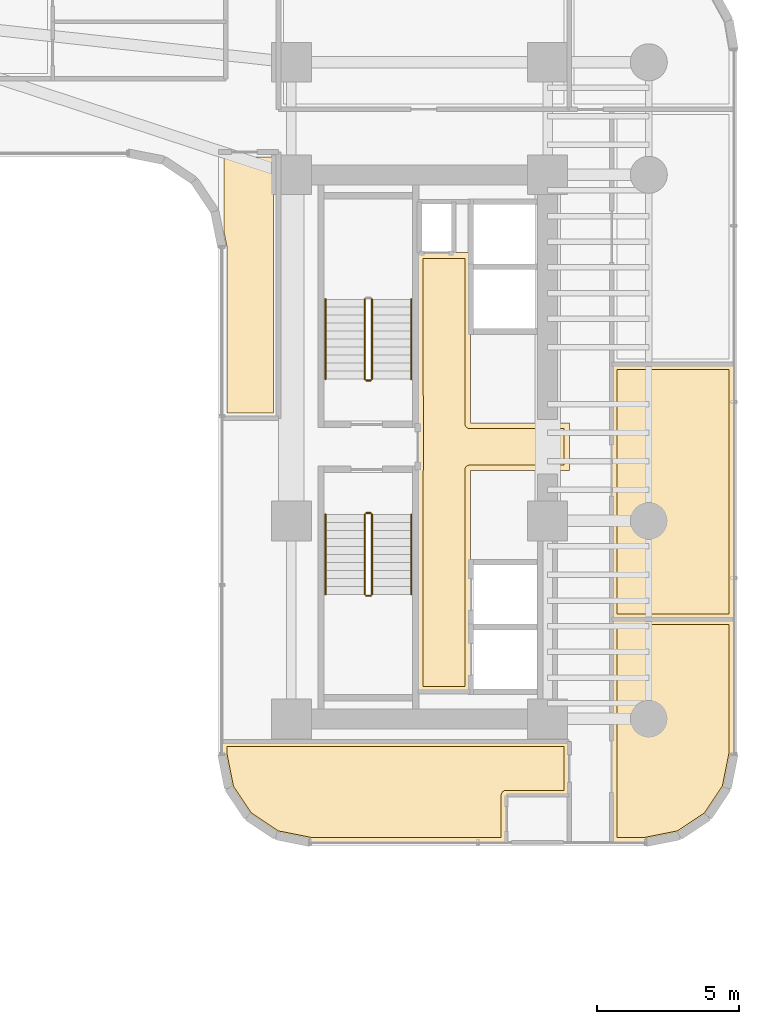
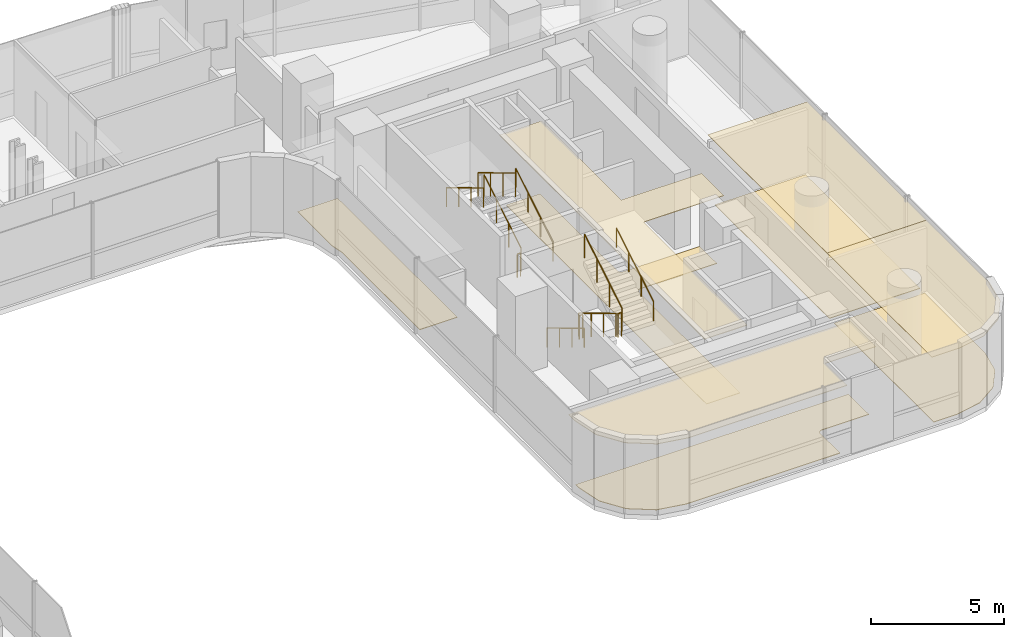
# One storey, part 38 of 41: 11 railings, 9 coverings.
"""IFC4 building model written with IfcOpenShell, lengths in metres."""

from ifc_helpers import new_model, si_unit, direction, frame, origin, origin_2d, place, context, subcontext, project, spatial, polyline, circle, outline, extrude, material, layer, layer_set, type_object, element, save


model = new_model("IFC4")

# Units and contexts
model_context = context("Model", 3, precision=1e-05, world=origin(), true_north=direction((0.0, 1.0)))
body_context = subcontext(model_context, "Body", "Model", "MODEL_VIEW")
ifc_project = project(units=[si_unit("LENGTHUNIT", "METRE"), si_unit("AREAUNIT", "SQUARE_METRE"), si_unit("VOLUMEUNIT", "CUBIC_METRE"), si_unit("PLANEANGLEUNIT", "RADIAN"), si_unit("MASSUNIT", "GRAM", prefix="KILO")], contexts=[model_context])

# Site, building, storey
site_placement = place(None, origin())
site = spatial("IfcSite", under=ifc_project, at=site_placement, CompositionType="ELEMENT")
building_placement = place(site_placement, origin())
building = spatial("IfcBuilding", under=site, at=building_placement, Name="Valdorenza Pilgrim Sanctuary Tower", CompositionType="ELEMENT")
storey_placement = place(building_placement, frame((0.0, 0.0, 59.300048828125)))
storey = spatial("IfcBuildingStorey", under=building, at=storey_placement, Name="L14", CompositionType="ELEMENT", Elevation=59.300048828125)

# Coverings
ifc_material_1 = material(Name="Micro-perforated acoustic mineral ceiling tile", Category="gypsum")
ifc_layer_1 = layer(ifc_material_1, 0.02490234375, Name="Micro-perforated acoustic mineral ceiling tile")
ifc_layer_set_1 = layer_set([ifc_layer_1], Name="Micro-perforated acoustic mineral ceiling tile")
covering_type_1 = type_object("IfcCoveringType", Name="COV-CLG-ACU", PredefinedType="CEILING", material=ifc_layer_set_1)
covering_1_placement = place(storey_placement, frame((0.0, 0.0, 3.159912109375)))
element("IfcCovering", 1, at=covering_1_placement, inside=storey, type_object=covering_type_1, Name="L14 Core B Passenger Lift Lobby Acoustic Ceiling", PredefinedType="CEILING", context=body_context, shape_type="SweptSolid", body=[
    extrude(outline(polyline([(20.287109375, -0.814697265625), (20.287109375, 0.814697265625), (20.28662109375, 0.815185546875), (20.2861328125, 0.81640625), (20.28564453125, 0.81787109375), (20.285400390625, 0.819091796875), (20.28515625, 0.820556640625), (20.284912109375, 0.822021484375), (20.284912109375, 6.800048828125), (20.28515625, 6.801513671875), (20.285400390625, 6.802978515625), (20.28564453125, 6.804443359375), (20.2861328125, 6.8056640625), (20.286865234375, 6.80712890625), (20.28759765625, 6.808349609375), (20.288330078125, 6.8095703125), (20.289306640625, 6.810546875), (20.29052734375, 6.8115234375), (20.291748046875, 6.8125), (20.29296875, 6.813232421875), (20.294189453125, 6.81396484375), (20.295654296875, 6.814453125), (20.297119140625, 6.814697265625), (20.298583984375, 6.81494140625), (20.300048828125, 6.81494140625), (20.347900390625, 6.81494140625), (20.349365234375, 6.81494140625), (20.350830078125, 6.814697265625), (20.352294921875, 6.814453125), (20.353515625, 6.81396484375), (20.35498046875, 6.813232421875), (20.35546875, 6.81298828125), (21.544677734375, 6.81298828125), (21.545166015625, 6.813232421875), (21.54638671875, 6.81396484375), (21.5478515625, 6.814453125), (21.54931640625, 6.814697265625), (21.550537109375, 6.81494140625), (21.552001953125, 6.81494140625), (22.1201171875, 6.81494140625), (22.12158203125, 6.81494140625), (22.122802734375, 6.814697265625), (22.12451171875, 6.814453125), (22.125732421875, 6.81396484375), (22.127197265625, 6.813232421875), (22.12841796875, 6.8125), (22.12939453125, 6.8115234375), (22.130615234375, 6.810546875), (22.131591796875, 6.8095703125), (22.132568359375, 6.808349609375), (22.13330078125, 6.80712890625), (22.1337890625, 6.8056640625), (22.134521484375, 6.804443359375), (22.134765625, 6.802978515625), (22.135009765625, 6.801513671875), (22.135009765625, 6.800048828125), (22.135009765625, 0.8349609375), (25.60009765625, 0.8349609375), (25.6015625, 0.8349609375), (25.602783203125, 0.834716796875), (25.6044921875, 0.83447265625), (25.605712890625, 0.833984375), (25.607177734375, 0.833251953125), (25.6083984375, 0.83251953125), (25.609619140625, 0.83154296875), (25.610595703125, 0.83056640625), (25.611572265625, 0.82958984375), (25.612548828125, 0.828369140625), (25.61328125, 0.8271484375), (25.614013671875, 0.82568359375), (25.614501953125, 0.824462890625), (25.61474609375, 0.822998046875), (25.614990234375, 0.821533203125), (25.614990234375, 0.820068359375), (25.614990234375, -0.820068359375), (25.614990234375, -0.821533203125), (25.61474609375, -0.822998046875), (25.614501953125, -0.824462890625), (25.614013671875, -0.82568359375), (25.61328125, -0.8271484375), (25.612548828125, -0.828369140625), (25.611572265625, -0.82958984375), (25.610595703125, -0.83056640625), (25.609619140625, -0.83154296875), (25.6083984375, -0.83251953125), (25.607177734375, -0.833251953125), (25.605712890625, -0.833984375), (25.6044921875, -0.83447265625), (25.602783203125, -0.834716796875), (25.6015625, -0.8349609375), (25.60009765625, -0.8349609375), (22.135009765625, -0.8349609375), (22.135009765625, -8.60009765625), (22.135009765625, -8.6015625), (22.134765625, -8.602783203125), (22.134521484375, -8.6044921875), (22.1337890625, -8.605712890625), (22.13330078125, -8.607177734375), (22.132568359375, -8.6083984375), (22.131591796875, -8.609619140625), (22.130615234375, -8.610595703125), (22.12939453125, -8.611572265625), (22.12841796875, -8.612548828125), (22.127197265625, -8.61328125), (22.125732421875, -8.614013671875), (22.12451171875, -8.614501953125), (22.122802734375, -8.61474609375), (22.12158203125, -8.614990234375), (22.1201171875, -8.614990234375), (20.300048828125, -8.614990234375), (20.298583984375, -8.614990234375), (20.297119140625, -8.61474609375), (20.295654296875, -8.614501953125), (20.294189453125, -8.614013671875), (20.29296875, -8.61328125), (20.291748046875, -8.612548828125), (20.29052734375, -8.611572265625), (20.289306640625, -8.610595703125), (20.288330078125, -8.609619140625), (20.28759765625, -8.6083984375), (20.286865234375, -8.607177734375), (20.2861328125, -8.605712890625), (20.28564453125, -8.6044921875), (20.285400390625, -8.602783203125), (20.28515625, -8.6015625), (20.284912109375, -8.60009765625), (20.284912109375, -0.822021484375), (20.28515625, -0.820556640625), (20.285400390625, -0.819091796875), (20.28564453125, -0.81787109375), (20.2861328125, -0.81640625), (20.28662109375, -0.815185546875), (20.287109375, -0.814697265625)])), origin(), (0.0, 0.0, 1.0), 0.025146484375),
])
covering_2_placement = place(storey_placement, frame((0.0, 0.0, 3.159912109375)))
element("IfcCovering", 2, at=covering_2_placement, inside=storey, type_object=covering_type_1, Name="L14 East South Guest Room L14-ES1 Acoustic Ceiling", PredefinedType="CEILING", context=body_context, shape_type="SweptSolid", body=[
    extrude(outline(polyline([(23.4130859375, -12.2529296875), (23.4130859375, -13.889892578125), (23.412841796875, -13.8916015625), (23.41259765625, -13.892822265625), (23.412353515625, -13.894287109375), (23.411865234375, -13.895751953125), (23.4111328125, -13.897216796875), (23.410400390625, -13.898193359375), (23.40966796875, -13.8994140625), (23.40869140625, -13.900634765625), (23.407470703125, -13.901611328125), (23.40625, -13.902587890625), (23.405029296875, -13.9033203125), (23.40380859375, -13.90380859375), (23.40234375, -13.904296875), (23.40087890625, -13.90478515625), (23.3994140625, -13.90478515625), (23.39794921875, -13.905029296875), (16.5107421875, -13.905029296875), (16.509521484375, -13.90478515625), (16.5078125, -13.90478515625), (15.3154296875, -13.66748046875), (15.31396484375, -13.6669921875), (15.3125, -13.66650390625), (15.311279296875, -13.666015625), (15.31005859375, -13.665283203125), (14.308349609375, -12.995849609375), (14.30712890625, -12.9951171875), (14.305908203125, -12.993896484375), (14.304931640625, -12.992919921875), (14.30419921875, -12.99169921875), (13.634765625, -11.989990234375), (13.634033203125, -11.98876953125), (13.63330078125, -11.9873046875), (13.6328125, -11.986083984375), (13.632568359375, -11.984619140625), (13.395263671875, -10.7919921875), (13.39501953125, -10.79052734375), (13.39501953125, -10.789306640625), (13.39501953125, -10.35009765625), (13.39501953125, -10.348388671875), (13.395263671875, -10.34716796875), (13.3955078125, -10.345703125), (13.39599609375, -10.34423828125), (13.396728515625, -10.343017578125), (13.3974609375, -10.341796875), (13.3984375, -10.340576171875), (13.3994140625, -10.33935546875), (13.400390625, -10.33837890625), (13.401611328125, -10.33740234375), (13.40283203125, -10.3369140625), (13.404296875, -10.336181640625), (13.405517578125, -10.335693359375), (13.406982421875, -10.335205078125), (13.408447265625, -10.335205078125), (13.409912109375, -10.3349609375), (25.60009765625, -10.3349609375), (25.6015625, -10.335205078125), (25.602783203125, -10.335205078125), (25.6044921875, -10.335693359375), (25.605712890625, -10.336181640625), (25.607177734375, -10.3369140625), (25.6083984375, -10.33740234375), (25.609619140625, -10.33837890625), (25.610595703125, -10.33935546875), (25.611572265625, -10.340576171875), (25.612548828125, -10.341796875), (25.61328125, -10.343017578125), (25.614013671875, -10.34423828125), (25.614501953125, -10.345703125), (25.61474609375, -10.34716796875), (25.614990234375, -10.348388671875), (25.614990234375, -10.35009765625), (25.614990234375, -12.238037109375), (25.614990234375, -12.239501953125), (25.61474609375, -12.240966796875), (25.614501953125, -12.242431640625), (25.614013671875, -12.24365234375), (25.61328125, -12.2451171875), (25.612548828125, -12.246337890625), (25.611572265625, -12.24755859375), (25.610595703125, -12.24853515625), (25.609619140625, -12.24951171875), (25.6083984375, -12.25048828125), (25.607177734375, -12.251220703125), (25.605712890625, -12.251953125), (25.6044921875, -12.25244140625), (25.602783203125, -12.252685546875), (25.6015625, -12.2529296875), (25.60009765625, -12.2529296875), (23.4130859375, -12.2529296875)])), origin(), (0.0, 0.0, 1.0), 0.025146484375),
])
covering_3_placement = place(storey_placement, frame((0.0, 0.0, 3.159912109375)))
element("IfcCovering", 3, at=covering_3_placement, inside=storey, type_object=covering_type_1, Name="L14 East Reading Lounge L14-EB1 Acoustic Ceiling", PredefinedType="CEILING", context=body_context, shape_type="SweptSolid", body=[
    extrude(outline(polyline([(31.389892578125, -6.034912109375), (31.3916015625, -6.03515625), (31.392822265625, -6.035400390625), (31.394287109375, -6.03564453125), (31.395751953125, -6.0361328125), (31.397216796875, -6.036865234375), (31.398193359375, -6.03759765625), (31.3994140625, -6.038330078125), (31.400634765625, -6.039306640625), (31.401611328125, -6.04052734375), (31.402587890625, -6.041748046875), (31.4033203125, -6.04296875), (31.40380859375, -6.044189453125), (31.404296875, -6.045654296875), (31.40478515625, -6.047119140625), (31.40478515625, -6.048583984375), (31.405029296875, -6.050048828125), (31.405029296875, -10.789306640625), (31.40478515625, -10.79052734375), (31.40478515625, -10.7919921875), (31.16748046875, -11.984619140625), (31.1669921875, -11.986083984375), (31.16650390625, -11.9873046875), (31.166015625, -11.98876953125), (31.165283203125, -11.989990234375), (30.495849609375, -12.99169921875), (30.4951171875, -12.992919921875), (30.493896484375, -12.993896484375), (30.492919921875, -12.9951171875), (30.49169921875, -12.995849609375), (29.489990234375, -13.665283203125), (29.48876953125, -13.666015625), (29.4873046875, -13.66650390625), (29.486083984375, -13.6669921875), (29.484619140625, -13.66748046875), (28.2919921875, -13.90478515625), (28.29052734375, -13.90478515625), (28.289306640625, -13.905029296875), (27.10009765625, -13.905029296875), (27.098388671875, -13.90478515625), (27.09716796875, -13.90478515625), (27.095703125, -13.904296875), (27.09423828125, -13.90380859375), (27.093017578125, -13.9033203125), (27.091796875, -13.902587890625), (27.090576171875, -13.901611328125), (27.08935546875, -13.900634765625), (27.08837890625, -13.8994140625), (27.08740234375, -13.898193359375), (27.0869140625, -13.897216796875), (27.086181640625, -13.895751953125), (27.085693359375, -13.894287109375), (27.085205078125, -13.892822265625), (27.085205078125, -13.8916015625), (27.0849609375, -13.889892578125), (27.0849609375, -6.050048828125), (27.085205078125, -6.048583984375), (27.085205078125, -6.047119140625), (27.085693359375, -6.045654296875), (27.086181640625, -6.044189453125), (27.0869140625, -6.04296875), (27.08740234375, -6.041748046875), (27.08837890625, -6.04052734375), (27.08935546875, -6.039306640625), (27.090576171875, -6.038330078125), (27.091796875, -6.03759765625), (27.093017578125, -6.036865234375), (27.09423828125, -6.0361328125), (27.095703125, -6.03564453125), (27.09716796875, -6.035400390625), (27.098388671875, -6.03515625), (27.10009765625, -6.034912109375), (31.389892578125, -6.034912109375)])), origin(), (0.0, 0.0, 1.0), 0.025146484375),
])
covering_4_placement = place(storey_placement, frame((0.0, 0.0, 3.159912109375)))
element("IfcCovering", 4, at=covering_4_placement, inside=storey, type_object=covering_type_1, Name="L14 East Reading Lounge L14-EB2 Acoustic Ceiling", PredefinedType="CEILING", context=body_context, shape_type="SweptSolid", body=[
    extrude(outline(polyline([(27.0849609375, 2.89990234375), (27.085205078125, 2.901611328125), (27.085205078125, 2.90283203125), (27.085693359375, 2.904296875), (27.086181640625, 2.90576171875), (27.0869140625, 2.906982421875), (27.08740234375, 2.908203125), (27.08837890625, 2.909423828125), (27.08935546875, 2.91064453125), (27.090576171875, 2.91162109375), (27.091796875, 2.91259765625), (27.093017578125, 2.9130859375), (27.09423828125, 2.913818359375), (27.095703125, 2.914306640625), (27.09716796875, 2.914794921875), (27.098388671875, 2.914794921875), (27.10009765625, 2.9150390625), (31.389892578125, 2.9150390625), (31.3916015625, 2.914794921875), (31.392822265625, 2.914794921875), (31.394287109375, 2.914306640625), (31.395751953125, 2.913818359375), (31.397216796875, 2.9130859375), (31.398193359375, 2.91259765625), (31.3994140625, 2.91162109375), (31.400634765625, 2.91064453125), (31.401611328125, 2.909423828125), (31.402587890625, 2.908203125), (31.4033203125, 2.906982421875), (31.40380859375, 2.90576171875), (31.404296875, 2.904296875), (31.40478515625, 2.90283203125), (31.40478515625, 2.901611328125), (31.405029296875, 2.89990234375), (31.405029296875, -6.048095703125), (31.40478515625, -6.049560546875), (31.40478515625, -6.05078125), (31.404296875, -6.052490234375), (31.40380859375, -6.0537109375), (31.4033203125, -6.05517578125), (31.402587890625, -6.056396484375), (31.401611328125, -6.0576171875), (31.400634765625, -6.05859375), (31.3994140625, -6.0595703125), (31.398193359375, -6.060546875), (31.397216796875, -6.061279296875), (31.395751953125, -6.06201171875), (31.394287109375, -6.0625), (31.392822265625, -6.062744140625), (31.3916015625, -6.06298828125), (31.389892578125, -6.06298828125), (27.10009765625, -6.06298828125), (27.098388671875, -6.06298828125), (27.09716796875, -6.062744140625), (27.095703125, -6.0625), (27.09423828125, -6.06201171875), (27.093017578125, -6.061279296875), (27.091796875, -6.060546875), (27.090576171875, -6.0595703125), (27.08935546875, -6.05859375), (27.08837890625, -6.0576171875), (27.08740234375, -6.056396484375), (27.0869140625, -6.05517578125), (27.086181640625, -6.0537109375), (27.085693359375, -6.052490234375), (27.085205078125, -6.05078125), (27.085205078125, -6.049560546875), (27.0849609375, -6.048095703125), (27.0849609375, 2.89990234375)])), origin(), (0.0, 0.0, 1.0), 0.025146484375),
])
ifc_material_2 = material(Name="Engineered European oak timber flooring", Category="wood")
ifc_layer_2 = layer(ifc_material_2, 0.02197265625, Name="Engineered European oak timber flooring")
ifc_layer_set_2 = layer_set([ifc_layer_2], Name="Engineered European oak timber flooring")
covering_type_2 = type_object("IfcCoveringType", Name="COV-FLR-OAK", PredefinedType="FLOORING", material=ifc_layer_set_2)
covering_5_placement = place(storey_placement, origin())
element("IfcCovering", 5, at=covering_5_placement, inside=storey, type_object=covering_type_2, Name="L14 East South Guest Room L14-ES1 Flooring", PredefinedType="FLOORING", context=body_context, shape_type="SweptSolid", body=[
    extrude(outline(polyline([(25.419921875, -10.530029296875), (25.419921875, -12.05810546875), (23.39990234375, -12.05810546875), (23.39111328125, -12.05810546875), (23.39111328125, -12.05810546875), (23.373291015625, -12.06005859375), (23.373291015625, -12.06005859375), (23.35595703125, -12.0634765625), (23.355712890625, -12.0634765625), (23.3388671875, -12.068603515625), (23.338623046875, -12.068603515625), (23.322265625, -12.075439453125), (23.322021484375, -12.075439453125), (23.306396484375, -12.083740234375), (23.306396484375, -12.083984375), (23.291748046875, -12.09375), (23.29150390625, -12.093994140625), (23.27783203125, -12.10498046875), (23.277587890625, -12.105224609375), (23.26513671875, -12.11767578125), (23.26513671875, -12.117919921875), (23.25390625, -12.131591796875), (23.25390625, -12.131591796875), (23.243896484375, -12.146484375), (23.243896484375, -12.146484375), (23.235595703125, -12.162109375), (23.2353515625, -12.162353515625), (23.228759765625, -12.1787109375), (23.228515625, -12.1787109375), (23.223388671875, -12.19580078125), (23.223388671875, -12.19580078125), (23.219970703125, -12.213134765625), (23.219970703125, -12.21337890625), (23.21826171875, -12.23095703125), (23.21826171875, -12.231201171875), (23.218017578125, -12.239990234375), (23.218017578125, -13.7099609375), (16.528564453125, -13.7099609375), (15.388671875, -13.483154296875), (14.4462890625, -12.853515625), (13.81689453125, -11.911376953125), (13.590087890625, -10.771484375), (13.590087890625, -10.530029296875), (25.419921875, -10.530029296875)])), origin(), (0.0, 0.0, 1.0), 0.02490234375),
])
ifc_material_3 = material(Name="Honed travertine stone flooring", Category="masonry")
ifc_layer_3 = layer(ifc_material_3, 0.030029296875, Name="Honed travertine stone flooring")
ifc_layer_set_3 = layer_set([ifc_layer_3], Name="Honed travertine stone flooring")
covering_type_3 = type_object("IfcCoveringType", Name="COV-FLR-TRV", PredefinedType="FLOORING", material=ifc_layer_set_3)
covering_6_placement = place(storey_placement, origin())
element("IfcCovering", 6, at=covering_6_placement, inside=storey, type_object=covering_type_3, Name="L14 Core B Passenger Lift Lobby Flooring", PredefinedType="FLOORING", context=body_context, shape_type="SweptSolid", body=[
    extrude(outline(polyline([(20.47998046875, 6.617919921875), (21.550048828125, 6.617919921875), (21.550537109375, 6.617919921875), (21.93994140625, 6.619384765625), (21.93994140625, 0.820068359375), (21.94091796875, 0.802490234375), (21.943603515625, 0.784912109375), (21.94775390625, 0.767578125), (21.95361328125, 0.751220703125), (21.961181640625, 0.735107421875), (21.97021484375, 0.719970703125), (21.98095703125, 0.705810546875), (21.99267578125, 0.692626953125), (22.005859375, 0.680908203125), (22.02001953125, 0.67041015625), (22.03515625, 0.661376953125), (22.051025390625, 0.65380859375), (22.067626953125, 0.647705078125), (22.0849609375, 0.6435546875), (22.102294921875, 0.640869140625), (22.1201171875, 0.639892578125), (25.419921875, 0.639892578125), (25.419921875, -0.639892578125), (22.1201171875, -0.639892578125), (22.102294921875, -0.640869140625), (22.0849609375, -0.6435546875), (22.067626953125, -0.647705078125), (22.051025390625, -0.65380859375), (22.03515625, -0.661376953125), (22.02001953125, -0.67041015625), (22.005859375, -0.680908203125), (21.99267578125, -0.692626953125), (21.98095703125, -0.705810546875), (21.97021484375, -0.719970703125), (21.961181640625, -0.735107421875), (21.95361328125, -0.751220703125), (21.94775390625, -0.767578125), (21.943603515625, -0.784912109375), (21.94091796875, -0.802490234375), (21.93994140625, -0.820068359375), (21.93994140625, -8.419921875), (20.47998046875, -8.419921875), (20.47998046875, -0.846923828125), (20.47998046875, -0.8466796875), (20.47998046875, -0.8466796875), (20.481689453125, -0.8291015625), (20.481689453125, -0.828857421875), (20.48193359375, -0.820068359375), (20.48193359375, 0.820068359375), (20.47998046875, 6.617919921875)])), origin(), (0.0, 0.0, 1.0), 0.02490234375),
])
covering_7_placement = place(storey_placement, origin())
element("IfcCovering", 7, at=covering_7_placement, inside=storey, type_object=covering_type_3, Name="L14 East Reading Lounge L14-EB1 Flooring", PredefinedType="FLOORING", context=body_context, shape_type="SweptSolid", body=[
    extrude(outline(polyline([(31.2099609375, -6.22998046875), (31.2099609375, -10.771484375), (30.983154296875, -11.911376953125), (30.353515625, -12.853515625), (29.411376953125, -13.483154296875), (28.271484375, -13.7099609375), (27.280029296875, -13.7099609375), (27.280029296875, -6.22998046875), (31.2099609375, -6.22998046875)])), origin(), (0.0, 0.0, 1.0), 0.02490234375),
])
covering_8_placement = place(storey_placement, origin())
element("IfcCovering", 8, at=covering_8_placement, inside=storey, type_object=covering_type_3, Name="L14 East Reading Lounge L14-EB2 Flooring", PredefinedType="FLOORING", context=body_context, shape_type="SweptSolid", body=[
    extrude(outline(polyline([(27.280029296875, 2.719970703125), (31.2099609375, 2.719970703125), (31.2099609375, -5.867919921875), (27.280029296875, -5.867919921875), (27.280029296875, 2.719970703125)])), origin(), (0.0, 0.0, 1.0), 0.02490234375),
])
covering_9_placement = place(storey_placement, origin())
element("IfcCovering", 9, at=covering_9_placement, inside=storey, type_object=covering_type_3, Name="L14 Courtyard Overlook Salon L14 Flooring", PredefinedType="FLOORING", context=body_context, shape_type="SweptSolid", body=[
    extrude(outline(polyline([(15.219970703125, 10.169921875), (15.219970703125, 1.179931640625), (13.590087890625, 1.179931640625), (13.590087890625, 7.0), (13.58984375, 7.0087890625), (13.58935546875, 7.01953125), (13.58740234375, 7.037109375), (13.5859375, 7.0478515625), (13.58447265625, 7.056640625), (13.47998046875, 7.58154296875), (13.47998046875, 10.169921875), (15.219970703125, 10.169921875)])), origin(), (0.0, 0.0, 1.0), 0.02490234375),
])

# Railings
ifc_material_4 = material(Name="Stainless steel Grade 316", Category="steel")
railing_type_1 = type_object("IfcRailingType", Name="RLG-GRD-1120", PredefinedType="GUARDRAIL", material=ifc_material_4)
railing_1_placement = place(storey_placement, frame((18.679931640625, 2.3798828125, 0.168212890625)))
element("IfcRailing", 10, at=railing_1_placement, inside=storey, type_object=railing_type_1, Name="L14 ST-B1 stair guard 1", PredefinedType="GUARDRAIL", context=body_context, shape_type="SweptSolid", body=[
    extrude(circle(Radius=0.02392578125, at=origin_2d()), frame((0.0, 0.0, 1.076171875), z_axis=(0.0, 0.857275202839, 0.514858452973), x_axis=(-1.0, 0.0, 0.0)), (0.0, 0.0, 1.0), 3.26611328125),
    extrude(circle(Radius=0.02099609375, at=origin_2d()), origin(), (0.0, 0.0, 1.0), 1.052001953125),
    extrude(circle(Radius=0.02099609375, at=origin_2d()), frame((0.0, 0.933349609375, 0.560546875)), (0.0, 0.0, 1.0), 1.052001953125),
    extrude(circle(Radius=0.02099609375, at=origin_2d()), frame((0.0, 1.86669921875, 1.12109375)), (0.0, 0.0, 1.0), 1.052001953125),
    extrude(circle(Radius=0.02099609375, at=origin_2d()), frame((0.0, 2.800048828125, 1.681640625)), (0.0, 0.0, 1.0), 1.052001953125),
])
railing_2_placement = place(storey_placement, frame((18.429931640625, 5.179931640625, 2.01806640625)))
element("IfcRailing", 11, at=railing_2_placement, inside=storey, type_object=railing_type_1, Name="L14 ST-B1 stair guard 3", PredefinedType="GUARDRAIL", context=body_context, shape_type="SweptSolid", body=[
    extrude(circle(Radius=0.02392578125, at=origin_2d()), frame((0.0, 0.0, 1.076171875), z_axis=(0.0, -0.857242210791, 0.514913383045), x_axis=(1.0, 0.0, 0.0)), (0.0, 0.0, 1.0), 3.266357421875),
    extrude(circle(Radius=0.02099609375, at=origin_2d()), origin(), (0.0, 0.0, 1.0), 1.052001953125),
    extrude(circle(Radius=0.02099609375, at=origin_2d()), frame((0.0, -0.933349609375, 0.560546875)), (0.0, 0.0, 1.0), 1.052001953125),
    extrude(circle(Radius=0.02099609375, at=origin_2d()), frame((0.0, -1.86669921875, 1.121337890625)), (0.0, 0.0, 1.0), 1.052001953125),
    extrude(circle(Radius=0.02099609375, at=origin_2d()), frame((0.0, -2.800048828125, 1.681884765625)), (0.0, 0.0, 1.0), 1.052001953125),
])
railing_3_placement = place(storey_placement, frame((18.6298828125, 2.330078125, 0.0)))
element("IfcRailing", 12, at=railing_3_placement, inside=storey, type_object=railing_type_1, Name="L14 ST-B1 stair guard 4", PredefinedType="GUARDRAIL", context=body_context, shape_type="SweptSolid", body=[
    extrude(circle(Radius=0.02392578125, at=origin_2d()), frame((0.0, 0.0, 1.076171875), z_axis=(-1.0, 0.0, 0.0), x_axis=(0.0, -1.0, 0.0)), (0.0, 0.0, 1.0), 0.14990234375),
    extrude(circle(Radius=0.02099609375, at=origin_2d()), origin(), (0.0, 0.0, 1.0), 1.052001953125),
    extrude(circle(Radius=0.02099609375, at=origin_2d()), frame((-0.14990234375, 0.0, 0.0)), (0.0, 0.0, 1.0), 1.052001953125),
])
railing_4_placement = place(storey_placement, frame((18.429931640625, -2.3798828125, 0.168212890625)))
element("IfcRailing", 13, at=railing_4_placement, inside=storey, type_object=railing_type_1, Name="L14 ST-B2 stair guard 1", PredefinedType="GUARDRAIL", context=body_context, shape_type="SweptSolid", body=[
    extrude(circle(Radius=0.02392578125, at=origin_2d()), frame((0.0, 0.0, 1.076171875), z_axis=(0.0, -0.857275202839, 0.514858452973), x_axis=(1.0, 0.0, 0.0)), (0.0, 0.0, 1.0), 3.26611328125),
    extrude(circle(Radius=0.02099609375, at=origin_2d()), origin(), (0.0, 0.0, 1.0), 1.052001953125),
    extrude(circle(Radius=0.02099609375, at=origin_2d()), frame((0.0, -0.933349609375, 0.560546875)), (0.0, 0.0, 1.0), 1.052001953125),
    extrude(circle(Radius=0.02099609375, at=origin_2d()), frame((0.0, -1.86669921875, 1.12109375)), (0.0, 0.0, 1.0), 1.052001953125),
    extrude(circle(Radius=0.02099609375, at=origin_2d()), frame((0.0, -2.800048828125, 1.681640625)), (0.0, 0.0, 1.0), 1.052001953125),
])
railing_5_placement = place(storey_placement, frame((18.47998046875, -5.22998046875, 1.849853515625)))
element("IfcRailing", 14, at=railing_5_placement, inside=storey, type_object=railing_type_1, Name="L14 ST-B2 stair guard 2", PredefinedType="GUARDRAIL", context=body_context, shape_type="SweptSolid", body=[
    extrude(circle(Radius=0.02392578125, at=origin_2d()), frame((0.0, 0.0, 1.076171875), z_axis=(1.0, 0.0, 0.0), x_axis=(0.0, 1.0, 0.0)), (0.0, 0.0, 1.0), 0.14990234375),
    extrude(circle(Radius=0.02099609375, at=origin_2d()), origin(), (0.0, 0.0, 1.0), 1.052001953125),
    extrude(circle(Radius=0.02099609375, at=origin_2d()), frame((0.14990234375, 0.0, 0.0)), (0.0, 0.0, 1.0), 1.052001953125),
])
railing_6_placement = place(storey_placement, frame((18.679931640625, -5.179931640625, 2.01806640625)))
element("IfcRailing", 15, at=railing_6_placement, inside=storey, type_object=railing_type_1, Name="L14 ST-B2 stair guard 3", PredefinedType="GUARDRAIL", context=body_context, shape_type="SweptSolid", body=[
    extrude(circle(Radius=0.02392578125, at=origin_2d()), frame((0.0, 0.0, 1.076171875), z_axis=(0.0, 0.857242210791, 0.514913383045), x_axis=(-1.0, 0.0, 0.0)), (0.0, 0.0, 1.0), 3.266357421875),
    extrude(circle(Radius=0.02099609375, at=origin_2d()), origin(), (0.0, 0.0, 1.0), 1.052001953125),
    extrude(circle(Radius=0.02099609375, at=origin_2d()), frame((0.0, 0.933349609375, 0.560546875)), (0.0, 0.0, 1.0), 1.052001953125),
    extrude(circle(Radius=0.02099609375, at=origin_2d()), frame((0.0, 1.86669921875, 1.121337890625)), (0.0, 0.0, 1.0), 1.052001953125),
    extrude(circle(Radius=0.02099609375, at=origin_2d()), frame((0.0, 2.800048828125, 1.681884765625)), (0.0, 0.0, 1.0), 1.052001953125),
])
railing_7_placement = place(storey_placement, frame((18.47998046875, -2.330078125, 0.0)))
element("IfcRailing", 16, at=railing_7_placement, inside=storey, type_object=railing_type_1, Name="L14 ST-B2 stair guard 4", PredefinedType="GUARDRAIL", context=body_context, shape_type="SweptSolid", body=[
    extrude(circle(Radius=0.02392578125, at=origin_2d()), frame((0.0, 0.0, 1.076171875), z_axis=(1.0, 0.0, 0.0), x_axis=(0.0, 1.0, 0.0)), (0.0, 0.0, 1.0), 0.14990234375),
    extrude(circle(Radius=0.02099609375, at=origin_2d()), origin(), (0.0, 0.0, 1.0), 1.052001953125),
    extrude(circle(Radius=0.02099609375, at=origin_2d()), frame((0.14990234375, 0.0, 0.0)), (0.0, 0.0, 1.0), 1.052001953125),
])
ifc_material_5 = material(Name="Brushed stainless steel Grade 316", Category="steel")
railing_type_2 = type_object("IfcRailingType", Name="RLG-HND-920", PredefinedType="HANDRAIL", material=ifc_material_5)
railing_8_placement = place(storey_placement, frame((20.06005859375, 2.3798828125, 0.168212890625)))
element("IfcRailing", 17, at=railing_8_placement, inside=storey, type_object=railing_type_2, Name="L14 ST-B1 stair handrail 1", PredefinedType="HANDRAIL", context=body_context, shape_type="SweptSolid", body=[
    extrude(circle(Radius=0.02392578125, at=origin_2d()), frame((0.0, 0.0, 0.8759765625), z_axis=(0.0, 0.857275202839, 0.514858452973), x_axis=(-1.0, 0.0, 0.0)), (0.0, 0.0, 1.0), 3.26611328125),
    extrude(circle(Radius=0.02099609375, at=origin_2d()), origin(), (0.0, 0.0, 1.0), 0.851806640625),
    extrude(circle(Radius=0.02099609375, at=origin_2d()), frame((0.0, 0.933349609375, 0.560546875)), (0.0, 0.0, 1.0), 0.851806640625),
    extrude(circle(Radius=0.02099609375, at=origin_2d()), frame((0.0, 1.86669921875, 1.12109375)), (0.0, 0.0, 1.0), 0.851806640625),
    extrude(circle(Radius=0.02099609375, at=origin_2d()), frame((0.0, 2.800048828125, 1.681640625)), (0.0, 0.0, 1.0), 0.851806640625),
])
railing_9_placement = place(storey_placement, frame((17.050048828125, 5.179931640625, 2.01806640625)))
element("IfcRailing", 18, at=railing_9_placement, inside=storey, type_object=railing_type_2, Name="L14 ST-B1 stair handrail 2", PredefinedType="HANDRAIL", context=body_context, shape_type="SweptSolid", body=[
    extrude(circle(Radius=0.02392578125, at=origin_2d()), frame((0.0, 0.0, 0.8759765625), z_axis=(0.0, -0.857242210791, 0.514913383045), x_axis=(1.0, 0.0, 0.0)), (0.0, 0.0, 1.0), 3.266357421875),
    extrude(circle(Radius=0.02099609375, at=origin_2d()), origin(), (0.0, 0.0, 1.0), 0.851806640625),
    extrude(circle(Radius=0.02099609375, at=origin_2d()), frame((0.0, -0.933349609375, 0.560546875)), (0.0, 0.0, 1.0), 0.851806640625),
    extrude(circle(Radius=0.02099609375, at=origin_2d()), frame((0.0, -1.86669921875, 1.121337890625)), (0.0, 0.0, 1.0), 0.851806640625),
    extrude(circle(Radius=0.02099609375, at=origin_2d()), frame((0.0, -2.800048828125, 1.681884765625)), (0.0, 0.0, 1.0), 0.851806640625),
])
railing_10_placement = place(storey_placement, frame((17.050048828125, -2.3798828125, 0.168212890625)))
element("IfcRailing", 19, at=railing_10_placement, inside=storey, type_object=railing_type_2, Name="L14 ST-B2 stair handrail 1", PredefinedType="HANDRAIL", context=body_context, shape_type="SweptSolid", body=[
    extrude(circle(Radius=0.02392578125, at=origin_2d()), frame((0.0, 0.0, 0.8759765625), z_axis=(0.0, -0.857275202839, 0.514858452973), x_axis=(1.0, 0.0, 0.0)), (0.0, 0.0, 1.0), 3.26611328125),
    extrude(circle(Radius=0.02099609375, at=origin_2d()), origin(), (0.0, 0.0, 1.0), 0.851806640625),
    extrude(circle(Radius=0.02099609375, at=origin_2d()), frame((0.0, -0.933349609375, 0.560546875)), (0.0, 0.0, 1.0), 0.851806640625),
    extrude(circle(Radius=0.02099609375, at=origin_2d()), frame((0.0, -1.86669921875, 1.12109375)), (0.0, 0.0, 1.0), 0.851806640625),
    extrude(circle(Radius=0.02099609375, at=origin_2d()), frame((0.0, -2.800048828125, 1.681640625)), (0.0, 0.0, 1.0), 0.851806640625),
])
railing_11_placement = place(storey_placement, frame((20.06005859375, -5.179931640625, 2.01806640625)))
element("IfcRailing", 20, at=railing_11_placement, inside=storey, type_object=railing_type_2, Name="L14 ST-B2 stair handrail 2", PredefinedType="HANDRAIL", context=body_context, shape_type="SweptSolid", body=[
    extrude(circle(Radius=0.02392578125, at=origin_2d()), frame((0.0, 0.0, 0.8759765625), z_axis=(0.0, 0.857242210791, 0.514913383045), x_axis=(-1.0, 0.0, 0.0)), (0.0, 0.0, 1.0), 3.266357421875),
    extrude(circle(Radius=0.02099609375, at=origin_2d()), origin(), (0.0, 0.0, 1.0), 0.851806640625),
    extrude(circle(Radius=0.02099609375, at=origin_2d()), frame((0.0, 0.933349609375, 0.560546875)), (0.0, 0.0, 1.0), 0.851806640625),
    extrude(circle(Radius=0.02099609375, at=origin_2d()), frame((0.0, 1.86669921875, 1.121337890625)), (0.0, 0.0, 1.0), 0.851806640625),
    extrude(circle(Radius=0.02099609375, at=origin_2d()), frame((0.0, 2.800048828125, 1.681884765625)), (0.0, 0.0, 1.0), 0.851806640625),
])

save(model, "model.ifc")
